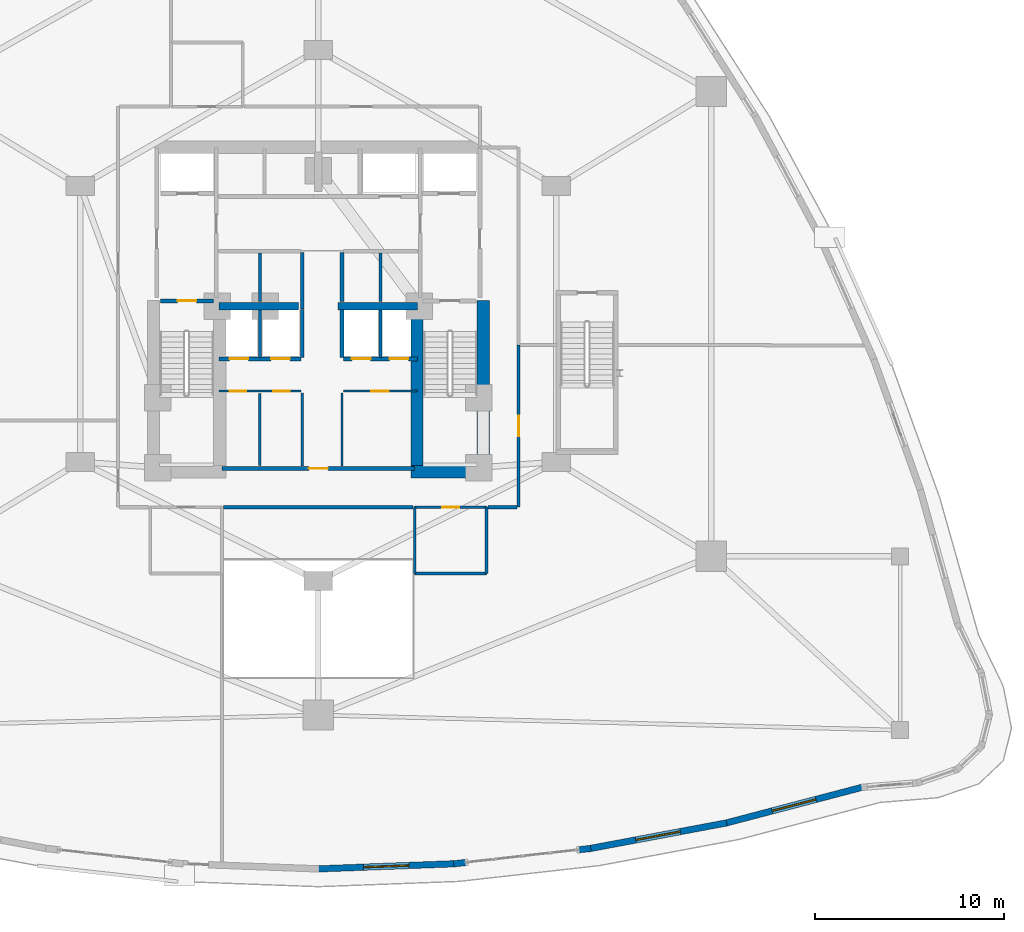
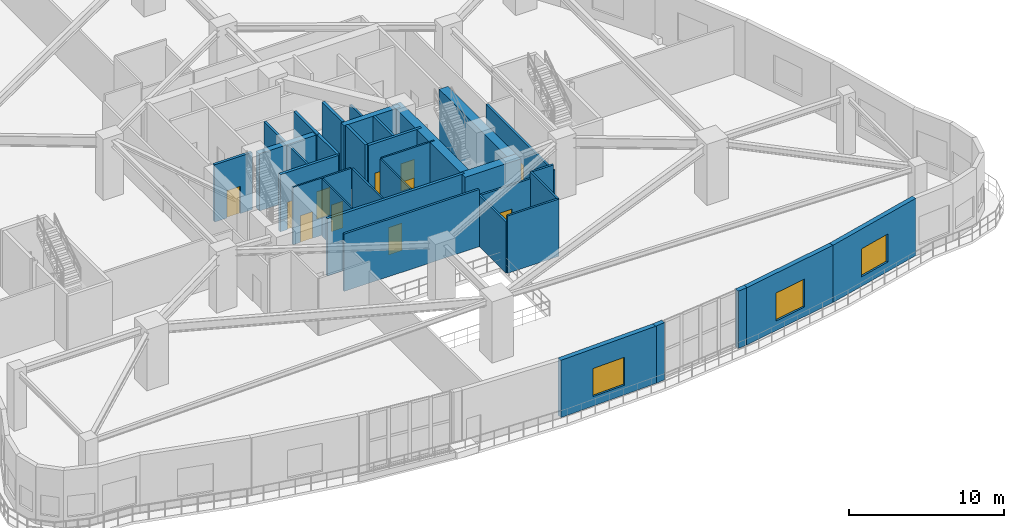
# One storey, part 16 of 25: 34 walls, 11 doors, 3 windows, 14 openings.
"""IFC4 building model written with IfcOpenShell, lengths in metres."""

import ifcopenshell
import ifcopenshell.guid

model = None  # the IFC model being written
_history = None  # IfcOwnerHistory: only IFC2X3 demands one
_inside = {}  # id of a spatial element -> (the spatial element, [elements in it])
_under = {}  # id of a project, library or spatial element -> (it, [spatial elements below it])
_declared = {}  # id of a project -> (the project, [libraries it declares])
_typed = {}  # id of a type object -> (the type object, [elements of that type])
_made_of = {}  # id of a material, layer set ... -> (it, [elements and type objects made of it])


def new_model(schema):
    """Start an empty IFC model of exactly this schema.

    Asked for "IFC4X3", IfcOpenShell would pick the latest addendum, in which some entities
    have other attributes; the version numbers below select the first issue.
    IFC2X3 requires an IfcOwnerHistory on every rooted entity: one is made here for all.
    """
    global model, _history
    if schema == "IFC4X3":
        model = ifcopenshell.file(schema_version=(4, 3, 0, 0))
    else:
        model = ifcopenshell.file(schema=schema)
    _inside.clear()
    _under.clear()
    _declared.clear()
    _typed.clear()
    _made_of.clear()
    _history = None
    if model.schema == "IFC2X3":
        org = make("IfcOrganization", Name="unknown")
        user = make(
            "IfcPersonAndOrganization",
            ThePerson=make("IfcPerson", FamilyName="unknown"),
            TheOrganization=org,
        )
        app = make(
            "IfcApplication",
            ApplicationDeveloper=org,
            Version="unknown",
            ApplicationFullName="unknown",
            ApplicationIdentifier="unknown",
        )
        _history = make(
            "IfcOwnerHistory",
            OwningUser=user,
            OwningApplication=app,
            ChangeAction="ADDED",
            CreationDate=0,
        )
    return model


def make(cls, **values):
    """One entity of the class cls with the attributes given. An attribute that is None is left unset."""
    return model.create_entity(
        cls, **{name: value for name, value in values.items() if value is not None}
    )


def rooted(cls, **values):
    """An entity with a GlobalId (a new one), such as an element, a storey or a relation."""
    return make(cls, GlobalId=ifcopenshell.guid.new(), OwnerHistory=_history, **values)


def si_unit(unit_type, name, prefix=None):
    """IfcSIUnit, for example si_unit("LENGTHUNIT", "METRE", prefix="MILLI")."""
    return make("IfcSIUnit", UnitType=unit_type, Prefix=prefix, Name=name)


def assignment(units):
    """IfcUnitAssignment: the units of a project."""
    return None if units is None else make("IfcUnitAssignment", Units=units)


def point(xyz):
    """IfcCartesianPoint."""
    return None if xyz is None else make("IfcCartesianPoint", Coordinates=xyz)


def direction(xyz):
    """IfcDirection."""
    return None if xyz is None else make("IfcDirection", DirectionRatios=xyz)


def frame(location, z_axis=None, x_axis=None):
    """IfcAxis2Placement3D, a coordinate frame: its origin and axes. An axis left out is left unset."""
    return make(
        "IfcAxis2Placement3D",
        Location=point(location),
        Axis=direction(z_axis),
        RefDirection=direction(x_axis),
    )


def frame_2d(location, x_axis=None):
    """IfcAxis2Placement2D, a coordinate frame in the plane: its origin and x axis."""
    return make(
        "IfcAxis2Placement2D", Location=point(location), RefDirection=direction(x_axis)
    )


def origin():
    """The frame at (0, 0, 0) with its axes left unset."""
    return frame((0.0, 0.0, 0.0))


def place(relative_to, where):
    """IfcLocalPlacement: puts the frame where relative to a parent placement (None: the world)."""
    return make(
        "IfcLocalPlacement", PlacementRelTo=relative_to, RelativePlacement=where
    )


def context(
    kind, dimensions, precision=None, world=None, true_north=None, identifier=None
):
    """IfcGeometricRepresentationContext, for example the 3D "Model" context."""
    return make(
        "IfcGeometricRepresentationContext",
        ContextIdentifier=identifier,
        ContextType=kind,
        CoordinateSpaceDimension=dimensions,
        Precision=precision,
        WorldCoordinateSystem=world,
        TrueNorth=true_north,
    )


def subcontext(parent, identifier, kind, view, scale=None):
    """IfcGeometricRepresentationSubContext, for example "Body" below "Model"."""
    return make(
        "IfcGeometricRepresentationSubContext",
        ContextIdentifier=identifier,
        ContextType=kind,
        ParentContext=parent,
        TargetScale=scale,
        TargetView=view,
    )


def project(units=None, contexts=None):
    """IfcProject with its units and contexts."""
    return rooted(
        "IfcProject",
        Name="project",
        RepresentationContexts=contexts,
        UnitsInContext=assignment(units),
    )


def spatial(cls, under=None, at=None, **own):
    """A site, building, storey or space (cls), placed at a placement, below another one or the project."""
    s = rooted(cls, ObjectPlacement=at, **own)
    if under is not None:
        _under.setdefault(under.id(), (under, []))[1].append(s)
    return s


def profile(cls, at=None, kind="AREA", **sizes):
    """A parametric profile (cls). Its sizes go by their IFC names, for example OverallWidth=200.0."""
    return make(cls, ProfileType=kind, Position=at, **sizes)


def rectangle(**sizes):
    """IfcRectangleProfileDef."""
    return profile("IfcRectangleProfileDef", **sizes)


def extrude(swept, where, along, depth):
    """IfcExtrudedAreaSolid: the profile swept, set in the frame where, extruded along a direction by depth."""
    return make(
        "IfcExtrudedAreaSolid",
        SweptArea=swept,
        Position=where,
        ExtrudedDirection=direction(along),
        Depth=depth,
    )


def shape(context_of_items, identifier, shape_type, items):
    """IfcShapeRepresentation: the items that make up one representation, for example the "Body"."""
    return make(
        "IfcShapeRepresentation",
        ContextOfItems=context_of_items,
        RepresentationIdentifier=identifier,
        RepresentationType=shape_type,
        Items=items,
    )


def material(Name=None, Category=None):
    """IfcMaterial."""
    return make("IfcMaterial", Name=Name, Category=Category)


def layer(
    of_material, thickness, ventilated=None, Name=None, Category=None, Priority=None
):
    """IfcMaterialLayer: one layer of a wall or slab, of a material (None: an air gap)."""
    return make(
        "IfcMaterialLayer",
        Material=of_material,
        LayerThickness=thickness,
        IsVentilated=ventilated,
        Name=Name,
        Category=Category,
        Priority=Priority,
    )


def layer_set(layers, Name=None):
    """IfcMaterialLayerSet."""
    return make("IfcMaterialLayerSet", MaterialLayers=layers, LayerSetName=Name)


def made_of(thing, what):
    """Note that an element or type object is made of a material, layer set ...; save() writes the relation."""
    if what is not None:
        _made_of.setdefault(what.id(), (what, []))[1].append(thing)
    return thing


def type_object(cls, material=None, **own):
    """A type object (cls), such as IfcWallType, which elements share."""
    return made_of(rooted(cls, **own), material)


def element(
    cls,
    number,
    at=None,
    inside=None,
    cuts=None,
    type_object=None,
    material=None,
    context=None,
    identifier="Body",
    shape_type=None,
    held_by="IfcProductDefinitionShape",
    body=None,
    shapes=None,
    **own,
):
    """One element of the class cls, such as IfcWall. Its Tag is "e" and its number.

    at: its placement. inside: the storey or other place that contains it. cuts: it is an
    opening in that element (IfcRelVoidsElement). A single representation is given by context,
    identifier, shape_type and body (its items); several are given by shapes. held_by: the class
    of the entity that holds the representations. save() writes the other relations.
    """
    e = rooted(cls, Tag="e%d" % number, ObjectPlacement=at, **own)
    if body is not None:
        shapes = [shape(context, identifier, shape_type, body)]
    if shapes is not None:
        e.Representation = make(held_by, Representations=shapes)
    if inside is not None:
        _inside.setdefault(inside.id(), (inside, []))[1].append(e)
    if cuts is not None:
        rooted(
            "IfcRelVoidsElement", RelatingBuildingElement=cuts, RelatedOpeningElement=e
        )
    if type_object is not None:
        _typed.setdefault(type_object.id(), (type_object, []))[1].append(e)
    return made_of(e, material)


def fill(opening, filler):
    """IfcRelFillsElement: the door or window that sits in an opening."""
    return rooted(
        "IfcRelFillsElement",
        RelatingOpeningElement=opening,
        RelatedBuildingElement=filler,
    )


def aggregate(whole, parts):
    """IfcRelAggregates: a whole, such as a stair, and the parts it consists of."""
    return rooted("IfcRelAggregates", RelatingObject=whole, RelatedObjects=parts)


def save(model, path):
    """Write the relations noted so far, then the file.

    IfcRelAggregates (storeys below a building ...), IfcRelContainedInSpatialStructure (elements
    in a storey), IfcRelDefinesByType, IfcRelAssociatesMaterial and IfcRelDeclares: one each for
    every whole, place, type object, material and project.
    """
    for whole, parts in _under.values():
        aggregate(whole, parts)
    for where, things in _inside.values():
        rooted(
            "IfcRelContainedInSpatialStructure",
            RelatedElements=things,
            RelatingStructure=where,
        )
    for kind, things in _typed.values():
        rooted("IfcRelDefinesByType", RelatedObjects=things, RelatingType=kind)
    for what, things in _made_of.values():
        rooted("IfcRelAssociatesMaterial", RelatedObjects=things, RelatingMaterial=what)
    for by, libraries in _declared.values():
        rooted("IfcRelDeclares", RelatingContext=by, RelatedDefinitions=libraries)
    model.write(path)


model = new_model("IFC4")

# Units and contexts
model_context = context("Model", 3, precision=1e-05, world=origin(), true_north=direction((0.0, 1.0)))
body_context = subcontext(model_context, "Body", "Model", "MODEL_VIEW")
ifc_project = project(units=[si_unit("LENGTHUNIT", "METRE"), si_unit("AREAUNIT", "SQUARE_METRE"), si_unit("VOLUMEUNIT", "CUBIC_METRE"), si_unit("PLANEANGLEUNIT", "RADIAN"), si_unit("MASSUNIT", "GRAM", prefix="KILO")], contexts=[model_context])

# Site, building, storey
site_placement = place(None, origin())
site = spatial("IfcSite", under=ifc_project, at=site_placement, CompositionType="ELEMENT")
building_placement = place(site_placement, origin())
building = spatial("IfcBuilding", under=site, at=building_placement, Name="Miruveldt Soraemaru", CompositionType="ELEMENT")
storey_placement = place(building_placement, frame((0.0, 0.0, 4.800048828125)))
storey = spatial("IfcBuildingStorey", under=building, at=storey_placement, Name="L02", CompositionType="ELEMENT", Elevation=4.800048828125)

# Walls
ifc_material_1 = material(Name="Concrete C70/85 (70 MPa)", Category="concrete")
ifc_layer_1 = layer(ifc_material_1, 0.5, Name="Concrete C70/85 (70 MPa)", Category="concrete")
ifc_layer_set_1 = layer_set([ifc_layer_1], Name="Concrete C70/85 (70 MPa)")
wall_type_1 = type_object("IfcWallType", Name="WALL-BW-500", PredefinedType="SHEAR", material=ifc_layer_set_1)
for number, where, z_axis, x_axis, name in (
    (1, (38.75, 44.050048828125, 0.0), (0.0, 0.0, 1.0), (1.0, 0.0, 0.0), "L02 Core Buttress Shear Wall BW"),
    (2, (45.050048828125, 44.050048828125, 0.0), (0.0, 0.0, 1.0), (1.0, 0.0, 0.0), "L02 Core Buttress Shear Wall BE"),
):
    element("IfcWall", number, at=place(storey_placement, frame(where, z_axis=z_axis, x_axis=x_axis)), inside=storey, type_object=wall_type_1, Name=name, PredefinedType="SHEAR", context=body_context, shape_type="SweptSolid", body=[
        extrude(rectangle(XDim=4.199951171875, YDim=0.39990234375, at=frame_2d((2.10009765625, 0.0))), origin(), (0.0, 0.0, 1.0), 4.5),
    ])
ifc_material_2 = material(Name="Concrete C80/95 (80 MPa)", Category="concrete")
ifc_layer_2 = layer(ifc_material_2, 0.64990234375, Name="Concrete C80/95 (80 MPa)", Category="concrete")
ifc_layer_set_2 = layer_set([ifc_layer_2], Name="Concrete C80/95 (80 MPa)")
wall_type_2 = type_object("IfcWallType", Name="WALL-CW-650", PredefinedType="SHEAR", material=ifc_layer_set_2)
wall_1_placement = place(storey_placement, frame((48.89990234375, 35.27490234375, 0.0), z_axis=(0.0, 0.0, 1.0), x_axis=(1.0, 0.0, 0.0)))
element("IfcWall", 3, at=wall_1_placement, inside=storey, type_object=wall_type_2, Name="L02 Central Core Shear Wall S2", PredefinedType="SHEAR", context=body_context, shape_type="SweptSolid", body=[
    extrude(rectangle(XDim=4.150146484375, YDim=0.64990234375, at=frame_2d((2.0751953125, 0.0))), origin(), (0.0, 0.0, 1.0), 4.5),
])
wall_2_placement = place(storey_placement, frame((52.72509765625, 34.949951171875, 0.0), z_axis=(0.0, 0.0, 1.0), x_axis=(0.0, 1.0, 0.0)))
element("IfcWall", 4, at=wall_2_placement, inside=storey, type_object=wall_type_2, Name="L02 Central Core Shear Wall E1", PredefinedType="SHEAR", context=body_context, shape_type="SweptSolid", body=[
    extrude(rectangle(XDim=9.400146484375, YDim=0.64990234375, at=frame_2d((4.7001953125, 0.0))), origin(), (0.0, 0.0, 1.0), 4.5),
])
wall_3_placement = place(storey_placement, frame((49.22509765625, 35.39990234375, 0.0), z_axis=(0.0, 0.0, 1.0), x_axis=(0.0, 1.0, 0.0)))
element("IfcWall", 5, at=wall_3_placement, inside=storey, type_object=wall_type_2, Name="L02 Central Core Shear Wall SE-INT", PredefinedType="SHEAR", context=body_context, shape_type="SweptSolid", body=[
    extrude(rectangle(XDim=8.9501953125, YDim=0.64990234375, at=frame_2d((4.47509765625, 0.0))), origin(), (0.0, 0.0, 1.0), 4.5),
])

# Wall, opening, window
ifc_material_3 = material(Name="Precast concrete C45/55 (45 MPa)", Category="concrete")
ifc_layer_3 = layer(ifc_material_3, 0.340087890625, Name="Precast concrete C45/55 (45 MPa)", Category="concrete")
ifc_layer_set_3 = layer_set([ifc_layer_3], Name="Precast concrete C45/55 (45 MPa)")
wall_type_3 = type_object("IfcWallType", Name="WALL-EXT-PC340", PredefinedType="SOLIDWALL", material=ifc_layer_set_3)
wall_4_placement = place(storey_placement, frame((43.965087890625, 14.257080078125, 0.0), z_axis=(0.0, 0.0, 1.0), x_axis=(0.99929844876, 0.037451439292, 0.0)))
wall_4 = element("IfcWall", 6, at=wall_4_placement, inside=storey, type_object=wall_type_3, Name="L02 Precast Concrete Facade Wall 25", PredefinedType="SOLIDWALL", context=body_context, shape_type="SweptSolid", body=[
    extrude(rectangle(XDim=7.2685546875, YDim=0.340087890625, at=frame_2d((3.63427734375, 0.0))), origin(), (0.0, 0.0, 1.0), 4.5),
])
opening_1_placement = place(wall_4_placement, frame((2.43408203125, 0.0, 0.75)))
opening_1 = element("IfcOpeningElement", 7, at=opening_1_placement, cuts=wall_4, Name="Opening WN-5", PredefinedType="OPENING", context=body_context, shape_type="SweptSolid", body=[
    extrude(rectangle(XDim=2.39990234375, YDim=2.199951171875, at=frame_2d((1.199951171875, 1.10009765625))), frame((0.0, 0.18017578125, 0.0), z_axis=(0.0, -1.0, 0.0), x_axis=(1.0, 0.0, 0.0)), (0.0, 0.0, 1.0), 0.360107421875),
])
ifc_material_4 = material(Name="Triple low-e insulated glazing", Category="glass")
window_type = type_object("IfcWindowType", Name="WIN-PODM-2400x2200", PartitioningType="SINGLE_PANEL", PredefinedType="WINDOW", material=ifc_material_4)
window_1_placement = place(opening_1_placement, origin())
window_1 = element("IfcWindow", 8, at=window_1_placement, inside=storey, type_object=window_type, Name="L02 Punched Triple-Glazed Window 25.1", OverallHeight=2.199951171875, OverallWidth=2.39990234375, PartitioningType="SINGLE_PANEL", PredefinedType="WINDOW", context=body_context, shape_type="SweptSolid", body=[
    extrude(rectangle(XDim=2.39990234375, YDim=2.199951171875, at=frame_2d((1.199951171875, 1.10009765625))), frame((0.0, 0.030029296875, 0.0), z_axis=(0.0, -1.0, 0.0), x_axis=(1.0, 0.0, 0.0)), (0.0, 0.0, 1.0), 0.06005859375),
])
fill(opening_1, window_1)

# Walls
for number, where, z_axis, x_axis, name in (
    (9, (51.15869140625, 14.524169921875, 0.0), (0.0, 0.0, 1.0), (0.993726507007, 0.11183751281, 0.0), "L02 Precast Pier Left 26"),
    (10, (57.721435546875, 15.262451171875, 0.0), (0.0, 0.0, 1.0), (0.993726507007, 0.11183751281, 0.0), "L02 Precast Pier Right 26"),
):
    element("IfcWall", number, at=place(storey_placement, frame(where, z_axis=z_axis, x_axis=x_axis)), inside=storey, type_object=wall_type_3, Name=name, PredefinedType="SOLIDWALL", context=body_context, shape_type="SweptSolid", body=[
        extrude(rectangle(XDim=0.705078125, YDim=0.340087890625, at=frame_2d((0.3525390625, 0.0))), origin(), (0.0, 0.0, 1.0), 4.5),
    ])

# Wall, opening, window
wall_5_placement = place(storey_placement, frame((58.352783203125, 15.330810546875, 0.0), z_axis=(0.0, 0.0, 1.0), x_axis=(0.982869568495, 0.184302499515, 0.0)))
wall_5 = element("IfcWall", 11, at=wall_5_placement, inside=storey, type_object=wall_type_3, Name="L02 Precast Concrete Facade Wall 27", PredefinedType="SOLIDWALL", context=body_context, shape_type="SweptSolid", body=[
    extrude(rectangle(XDim=7.388916015625, YDim=0.340087890625, at=frame_2d((3.6943359375, 0.0))), origin(), (0.0, 0.0, 1.0), 4.5),
])
opening_2_placement = place(wall_5_placement, frame((2.493896484375, 0.0, 0.75)))
opening_2 = element("IfcOpeningElement", 12, at=opening_2_placement, cuts=wall_5, Name="Opening WN-5", PredefinedType="OPENING", context=body_context, shape_type="SweptSolid", body=[
    extrude(rectangle(XDim=2.39990234375, YDim=2.199951171875, at=frame_2d((1.199951171875, 1.10009765625))), frame((0.0, 0.18017578125, 0.0), z_axis=(0.0, -1.0, 0.0), x_axis=(1.0, 0.0, 0.0)), (0.0, 0.0, 1.0), 0.360107421875),
])
window_2_placement = place(opening_2_placement, origin())
window_2 = element("IfcWindow", 13, at=window_2_placement, inside=storey, type_object=window_type, Name="L02 Punched Triple-Glazed Window 27.1", OverallHeight=2.199951171875, OverallWidth=2.39990234375, PartitioningType="SINGLE_PANEL", PredefinedType="WINDOW", context=body_context, shape_type="SweptSolid", body=[
    extrude(rectangle(XDim=2.39990234375, YDim=2.199951171875, at=frame_2d((1.199951171875, 1.10009765625))), frame((0.0, 0.030029296875, 0.0), z_axis=(0.0, -1.0, 0.0), x_axis=(1.0, 0.0, 0.0)), (0.0, 0.0, 1.0), 0.06005859375),
])
fill(opening_2, window_2)

wall_6_placement = place(storey_placement, frame((65.547119140625, 16.67724609375, 0.0), z_axis=(0.0, 0.0, 1.0), x_axis=(0.967227271717, 0.253912199091, 0.0)))
wall_6 = element("IfcWall", 14, at=wall_6_placement, inside=storey, type_object=wall_type_3, Name="L02 Precast Concrete Facade Wall 28", PredefinedType="SOLIDWALL", context=body_context, shape_type="SweptSolid", body=[
    extrude(rectangle(XDim=7.507568359375, YDim=0.340087890625, at=frame_2d((3.75390625, 0.0))), origin(), (0.0, 0.0, 1.0), 4.5),
])
opening_3_placement = place(wall_6_placement, frame((2.553955078125, 0.0, 0.75)))
opening_3 = element("IfcOpeningElement", 15, at=opening_3_placement, cuts=wall_6, Name="Opening WN-5", PredefinedType="OPENING", context=body_context, shape_type="SweptSolid", body=[
    extrude(rectangle(XDim=2.39990234375, YDim=2.199951171875, at=frame_2d((1.199951171875, 1.10009765625))), frame((0.0, 0.18017578125, 0.0), z_axis=(0.0, -1.0, 0.0), x_axis=(1.0, 0.0, 0.0)), (0.0, 0.0, 1.0), 0.360107421875),
])
window_3_placement = place(opening_3_placement, origin())
window_3 = element("IfcWindow", 16, at=window_3_placement, inside=storey, type_object=window_type, Name="L02 Punched Triple-Glazed Window 28.1", OverallHeight=2.199951171875, OverallWidth=2.39990234375, PartitioningType="SINGLE_PANEL", PredefinedType="WINDOW", context=body_context, shape_type="SweptSolid", body=[
    extrude(rectangle(XDim=2.39990234375, YDim=2.199951171875, at=frame_2d((1.199951171875, 1.10009765625))), frame((0.0, 0.030029296875, 0.0), z_axis=(0.0, -1.0, 0.0), x_axis=(1.0, 0.0, 0.0)), (0.0, 0.0, 1.0), 0.06005859375),
])
fill(opening_3, window_3)

# Wall, openings, doors
ifc_material_5 = material(Name="Gypsum plasterboard lining", Category="gypsum")
ifc_layer_4 = layer(ifc_material_5, 0.1201171875, Name="Gypsum plasterboard lining", Category="gypsum")
ifc_layer_set_4 = layer_set([ifc_layer_4], Name="Gypsum plasterboard lining")
wall_type_4 = type_object("IfcWallType", Name="WALL-INT-P120", PredefinedType="PARTITIONING", material=ifc_layer_set_4)
wall_7_placement = place(storey_placement, frame((38.75, 39.550048828125, 0.0), z_axis=(0.0, 0.0, 1.0), x_axis=(1.0, 0.0, 0.0)))
wall_7 = element("IfcWall", 17, at=wall_7_placement, inside=storey, type_object=wall_type_4, Name="L02 Core Compartment Wall CSW-N", PredefinedType="PARTITIONING", context=body_context, shape_type="SweptSolid", body=[
    extrude(rectangle(XDim=4.330078125, YDim=0.1201171875, at=frame_2d((2.1650390625, 0.0))), origin(), (0.0, 0.0, 1.0), 4.5),
])
opening_4_placement = place(wall_7_placement, frame((0.56005859375, 0.0, 0.0)))
opening_4 = element("IfcOpeningElement", 18, at=opening_4_placement, cuts=wall_7, Name="Opening D4", PredefinedType="OPENING", context=body_context, shape_type="SweptSolid", body=[
    extrude(rectangle(XDim=0.8798828125, YDim=2.10009765625, at=frame_2d((0.43994140625, 1.050048828125))), frame((0.0, 0.070068359375, 0.0), z_axis=(0.0, -1.0, 0.0), x_axis=(1.0, 0.0, 0.0)), (0.0, 0.0, 1.0), 0.14013671875),
])
opening_5_placement = place(wall_7_placement, frame((2.860107421875, 0.0, 0.0)))
opening_5 = element("IfcOpeningElement", 19, at=opening_5_placement, cuts=wall_7, Name="Opening D4", PredefinedType="OPENING", context=body_context, shape_type="SweptSolid", body=[
    extrude(rectangle(XDim=0.8798828125, YDim=2.10009765625, at=frame_2d((0.43994140625, 1.050048828125))), frame((0.0, 0.070068359375, 0.0), z_axis=(0.0, -1.0, 0.0), x_axis=(1.0, 0.0, 0.0)), (0.0, 0.0, 1.0), 0.14013671875),
])
ifc_material_6 = material(Name="Anodised aluminium EN AW-6063 T6", Category="aluminium")
door_type_1 = type_object("IfcDoorType", Name="DOOR-INT-880", OperationType="NOTDEFINED", PredefinedType="DOOR", material=ifc_material_6)
door_1_placement = place(opening_4_placement, origin())
door_1 = element("IfcDoor", 20, at=door_1_placement, inside=storey, type_object=door_type_1, Name="L02 Fire Door", OperationType="SINGLE_SWING_LEFT", OverallHeight=2.10009765625, OverallWidth=0.8798828125, PredefinedType="DOOR", context=body_context, shape_type="SweptSolid", body=[
    extrude(rectangle(XDim=0.8798828125, YDim=2.10009765625, at=frame_2d((0.43994140625, 1.050048828125))), frame((0.0, 0.02490234375, 0.0), z_axis=(0.0, -1.0, 0.0), x_axis=(1.0, 0.0, 0.0)), (0.0, 0.0, 1.0), 0.050048828125),
])
fill(opening_4, door_1)
door_2_placement = place(opening_5_placement, origin())
door_2 = element("IfcDoor", 21, at=door_2_placement, inside=storey, type_object=door_type_1, Name="L02 Fire Door", OperationType="SINGLE_SWING_LEFT", OverallHeight=2.10009765625, OverallWidth=0.8798828125, PredefinedType="DOOR", context=body_context, shape_type="SweptSolid", body=[
    extrude(rectangle(XDim=0.8798828125, YDim=2.10009765625, at=frame_2d((0.43994140625, 1.050048828125))), frame((0.0, 0.02490234375, 0.0), z_axis=(0.0, -1.0, 0.0), x_axis=(1.0, 0.0, 0.0)), (0.0, 0.0, 1.0), 0.050048828125),
])
fill(opening_5, door_2)

# Wall, opening, door
wall_8_placement = place(storey_placement, frame((45.320068359375, 39.550048828125, 0.0), z_axis=(0.0, 0.0, 1.0), x_axis=(1.0, 0.0, 0.0)))
wall_8 = element("IfcWall", 22, at=wall_8_placement, inside=storey, type_object=wall_type_4, Name="L02 Core Compartment Wall CSE-N", PredefinedType="PARTITIONING", context=body_context, shape_type="SweptSolid", body=[
    extrude(rectangle(XDim=3.929931640625, YDim=0.1201171875, at=frame_2d((1.96484375, 0.0))), origin(), (0.0, 0.0, 1.0), 4.5),
])
opening_6_placement = place(wall_8_placement, frame((1.489990234375, 0.0, 0.0)))
opening_6 = element("IfcOpeningElement", 23, at=opening_6_placement, cuts=wall_8, Name="Opening D3A", PredefinedType="OPENING", context=body_context, shape_type="SweptSolid", body=[
    extrude(rectangle(XDim=0.919921875, YDim=2.10009765625, at=frame_2d((0.4599609375, 1.050048828125))), frame((0.0, 0.070068359375, 0.0), z_axis=(0.0, -1.0, 0.0), x_axis=(1.0, 0.0, 0.0)), (0.0, 0.0, 1.0), 0.14013671875),
])
door_type_2 = type_object("IfcDoorType", Name="DOOR-INT-920", OperationType="NOTDEFINED", PredefinedType="DOOR", material=ifc_material_6)
door_3_placement = place(opening_6_placement, origin())
door_3 = element("IfcDoor", 24, at=door_3_placement, inside=storey, type_object=door_type_2, Name="L02 Fire Door", OperationType="SINGLE_SWING_LEFT", OverallHeight=2.10009765625, OverallWidth=0.919921875, PredefinedType="DOOR", context=body_context, shape_type="SweptSolid", body=[
    extrude(rectangle(XDim=0.919921875, YDim=2.10009765625, at=frame_2d((0.4599609375, 1.050048828125))), frame((0.0, 0.02490234375, 0.0), z_axis=(0.0, -1.0, 0.0), x_axis=(1.0, 0.0, 0.0)), (0.0, 0.0, 1.0), 0.050048828125),
])
fill(opening_6, door_3)

# Walls
for number, where, z_axis, x_axis, name in (
    (25, (43.14990234375, 35.580078125, 0.0), (0.0, 0.0, 1.0), (0.0, 1.0, 0.0), "L02 Core Compartment Wall SP-WS"),
    (26, (45.25, 35.580078125, 0.0), (0.0, 0.0, 1.0), (0.0, 1.0, 0.0), "L02 Core Compartment Wall SP-ES"),
):
    element("IfcWall", number, at=place(storey_placement, frame(where, z_axis=z_axis, x_axis=x_axis)), inside=storey, type_object=wall_type_4, Name=name, PredefinedType="PARTITIONING", context=body_context, shape_type="SweptSolid", body=[
        extrude(rectangle(XDim=3.869873046875, YDim=0.1201171875, at=frame_2d((1.93505859375, 0.0))), origin(), (0.0, 0.0, 1.0), 4.5),
    ])
wall_9_placement = place(storey_placement, frame((40.89990234375, 35.60009765625, 0.0), z_axis=(0.0, 0.0, 1.0), x_axis=(0.0, 1.0, 0.0)))
element("IfcWall", 27, at=wall_9_placement, inside=storey, type_object=wall_type_4, Name="L02 Core Compartment Wall CW1-V", PredefinedType="PARTITIONING", context=body_context, shape_type="SweptSolid", body=[
    extrude(rectangle(XDim=3.81982421875, YDim=0.1201171875, at=frame_2d((1.909912109375, 0.0))), origin(), (0.0, 0.0, 1.0), 4.5),
])

# Wall, opening, door
ifc_layer_5 = layer(ifc_material_5, 0.14990234375, Name="Gypsum plasterboard lining", Category="gypsum")
ifc_layer_set_5 = layer_set([ifc_layer_5], Name="Gypsum plasterboard lining")
wall_type_5 = type_object("IfcWallType", Name="WALL-INT-PLUMB", PredefinedType="PLUMBINGWALL", material=ifc_layer_set_5)
wall_10_placement = place(storey_placement, frame((49.10009765625, 33.39990234375, 0.0), z_axis=(0.0, 0.0, 1.0), x_axis=(1.0, 0.0, 0.0)))
wall_10 = element("IfcWall", 28, at=wall_10_placement, inside=storey, type_object=wall_type_5, Name="L02 Partition Wall 3", PredefinedType="PLUMBINGWALL", context=body_context, shape_type="SweptSolid", body=[
    extrude(rectangle(XDim=3.7998046875, YDim=0.14990234375, at=frame_2d((1.89990234375, 0.0))), origin(), (0.0, 0.0, 1.0), 4.0),
])
opening_7_placement = place(wall_10_placement, frame((1.449951171875, 0.0, 0.0)))
opening_7 = element("IfcOpeningElement", 29, at=opening_7_placement, cuts=wall_10, Name="Opening D3", PredefinedType="OPENING", context=body_context, shape_type="SweptSolid", body=[
    extrude(rectangle(XDim=0.89990234375, YDim=2.10009765625, at=frame_2d((0.449951171875, 1.050048828125))), frame((0.0, 0.0849609375, 0.0), z_axis=(0.0, -1.0, 0.0), x_axis=(1.0, 0.0, 0.0)), (0.0, 0.0, 1.0), 0.169921875),
])
door_type_3 = type_object("IfcDoorType", Name="DOOR-INT-900", OperationType="NOTDEFINED", PredefinedType="DOOR", material=ifc_material_6)
door_4_placement = place(opening_7_placement, origin())
door_4 = element("IfcDoor", 30, at=door_4_placement, inside=storey, type_object=door_type_3, Name="L02 Accessible WC Door", OperationType="SINGLE_SWING_RIGHT", OverallHeight=2.10009765625, OverallWidth=0.89990234375, PredefinedType="DOOR", context=body_context, shape_type="SweptSolid", body=[
    extrude(rectangle(XDim=0.89990234375, YDim=2.10009765625, at=frame_2d((0.449951171875, 1.050048828125))), frame((0.0, 0.02490234375, 0.0), z_axis=(0.0, -1.0, 0.0), x_axis=(1.0, 0.0, 0.0)), (0.0, 0.0, 1.0), 0.050048828125),
])
fill(opening_7, door_4)

# Walls
wall_11_placement = place(storey_placement, frame((49.10009765625, 29.89990234375, 0.0), z_axis=(0.0, 0.0, 1.0), x_axis=(1.0, 0.0, 0.0)))
element("IfcWall", 31, at=wall_11_placement, inside=storey, type_object=wall_type_5, Name="L02 Partition Wall 22", PredefinedType="PLUMBINGWALL", context=body_context, shape_type="SweptSolid", body=[
    extrude(rectangle(XDim=3.7998046875, YDim=0.14990234375, at=frame_2d((1.89990234375, 0.0))), origin(), (0.0, 0.0, 1.0), 4.5),
])
wall_12_placement = place(storey_placement, frame((49.10009765625, 33.39990234375, 0.0), z_axis=(0.0, 0.0, 1.0), x_axis=(0.0, -1.0, 0.0)))
element("IfcWall", 32, at=wall_12_placement, inside=storey, type_object=wall_type_5, Name="L02 Partition Wall 21", PredefinedType="PLUMBINGWALL", context=body_context, shape_type="SweptSolid", body=[
    extrude(rectangle(XDim=3.5, YDim=0.14990234375, at=frame_2d((1.75, 0.0))), origin(), (0.0, 0.0, 1.0), 4.0),
])
wall_13_placement = place(storey_placement, frame((52.89990234375, 29.89990234375, 0.0), z_axis=(0.0, 0.0, 1.0), x_axis=(0.0, 1.0, 0.0)))
element("IfcWall", 33, at=wall_13_placement, inside=storey, type_object=wall_type_5, Name="L02 Partition Wall 23", PredefinedType="PLUMBINGWALL", context=body_context, shape_type="SweptSolid", body=[
    extrude(rectangle(XDim=3.5, YDim=0.14990234375, at=frame_2d((1.75, 0.0))), origin(), (0.0, 0.0, 1.0), 4.5),
])

# Wall, opening, door
ifc_material_7 = material(Name="Concrete C40/50 (40 MPa)", Category="concrete")
ifc_layer_6 = layer(ifc_material_7, 0.159912109375, Name="Concrete C40/50 (40 MPa)", Category="concrete")
ifc_layer_set_6 = layer_set([ifc_layer_6], Name="Concrete C40/50 (40 MPa)")
wall_type_6 = type_object("IfcWallType", Name="WALL-INT-RC160", PredefinedType="SOLIDWALL", material=ifc_layer_set_6)
wall_14_placement = place(storey_placement, frame((54.60009765625, 33.39990234375, 0.0), z_axis=(0.0, 0.0, 1.0), x_axis=(0.0, 1.0, 0.0)))
wall_14 = element("IfcWall", 34, at=wall_14_placement, inside=storey, type_object=wall_type_6, Name="L02 Partition Wall 8", PredefinedType="SOLIDWALL", context=body_context, shape_type="SweptSolid", body=[
    extrude(rectangle(XDim=8.60009765625, YDim=0.159912109375, at=frame_2d((4.300048828125, 0.0))), origin(), (0.0, 0.0, 1.0), 4.0),
])
opening_8_placement = place(wall_14_placement, frame((3.75, 0.0, 0.0)))
opening_8 = element("IfcOpeningElement", 35, at=opening_8_placement, cuts=wall_14, Name="Opening FD1A", PredefinedType="OPENING", context=body_context, shape_type="SweptSolid", body=[
    extrude(rectangle(XDim=1.10009765625, YDim=2.14990234375, at=frame_2d((0.550048828125, 1.074951171875))), frame((0.0, 0.08984375, 0.0), z_axis=(0.0, -1.0, 0.0), x_axis=(1.0, 0.0, 0.0)), (0.0, 0.0, 1.0), 0.179931640625),
])
door_type_4 = type_object("IfcDoorType", Name="DOOR-FD1-1100", OperationType="NOTDEFINED", PredefinedType="DOOR", material=ifc_material_6)
door_5_placement = place(opening_8_placement, origin())
door_5 = element("IfcDoor", 36, at=door_5_placement, inside=storey, type_object=door_type_4, Name="L02 Terrace Bistro and Dining Hall Entrance Door", OperationType="SINGLE_SWING_RIGHT", OverallHeight=2.14990234375, OverallWidth=1.10009765625, PredefinedType="DOOR", context=body_context, shape_type="SweptSolid", body=[
    extrude(rectangle(XDim=1.10009765625, YDim=2.14990234375, at=frame_2d((0.550048828125, 1.074951171875))), frame((0.0, 0.02490234375, 0.0), z_axis=(0.0, -1.0, 0.0), x_axis=(1.0, 0.0, 0.0)), (0.0, 0.0, 1.0), 0.050048828125),
])
fill(opening_8, door_5)

# Walls
wall_15_placement = place(storey_placement, frame((38.97998046875, 33.39990234375, 0.0), z_axis=(0.0, 0.0, 1.0), x_axis=(1.0, 0.0, 0.0)))
element("IfcWall", 37, at=wall_15_placement, inside=storey, type_object=wall_type_6, Name="L02 Partition Wall 6", PredefinedType="SOLIDWALL", context=body_context, shape_type="SweptSolid", body=[
    extrude(rectangle(XDim=10.0400390625, YDim=0.159912109375, at=frame_2d((5.02001953125, 0.0))), origin(), (0.0, 0.0, 1.0), 4.5),
])
wall_16_placement = place(storey_placement, frame((40.89990234375, 44.300048828125, 0.0), z_axis=(0.0, 0.0, 1.0), x_axis=(0.0, 1.0, 0.0)))
element("IfcWall", 38, at=wall_16_placement, inside=storey, type_object=wall_type_6, Name="L02 Core Compartment Wall PLM-DW", PredefinedType="SOLIDWALL", context=body_context, shape_type="SweptSolid", body=[
    extrude(rectangle(XDim=2.550048828125, YDim=0.159912109375, at=frame_2d((1.27490234375, 0.0))), origin(), (0.0, 0.0, 1.0), 4.5),
])
wall_17_placement = place(storey_placement, frame((47.280029296875, 44.300048828125, 0.0), z_axis=(0.0, 0.0, 1.0), x_axis=(0.0, 1.0, 0.0)))
element("IfcWall", 39, at=wall_17_placement, inside=storey, type_object=wall_type_6, Name="L02 Core Compartment Wall PLM-DE", PredefinedType="SOLIDWALL", context=body_context, shape_type="SweptSolid", body=[
    extrude(rectangle(XDim=2.550048828125, YDim=0.159912109375, at=frame_2d((1.27490234375, 0.0))), origin(), (0.0, 0.0, 1.0), 3.587890625),
])
for number, where, z_axis, x_axis, name in (
    (40, (40.89990234375, 41.320068359375, 0.0), (0.0, 0.0, 1.0), (0.0, 1.0, 0.0), "L02 Core Compartment Wall PLL-DW"),
    (41, (47.280029296875, 41.320068359375, 0.0), (0.0, 0.0, 1.0), (0.0, 1.0, 0.0), "L02 Core Compartment Wall PLL-DE"),
):
    element("IfcWall", number, at=place(storey_placement, frame(where, z_axis=z_axis, x_axis=x_axis)), inside=storey, type_object=wall_type_6, Name=name, PredefinedType="SOLIDWALL", context=body_context, shape_type="SweptSolid", body=[
        extrude(rectangle(XDim=2.530029296875, YDim=0.159912109375, at=frame_2d((1.26513671875, 0.0))), origin(), (0.0, 0.0, 1.0), 4.5),
    ])
wall_18_placement = place(storey_placement, frame((52.97998046875, 33.39990234375, 0.0), z_axis=(0.0, 0.0, 1.0), x_axis=(1.0, 0.0, 0.0)))
element("IfcWall", 42, at=wall_18_placement, inside=storey, type_object=wall_type_6, Name="L02 Partition Wall 7", PredefinedType="SOLIDWALL", context=body_context, shape_type="SweptSolid", body=[
    extrude(rectangle(XDim=1.5400390625, YDim=0.159912109375, at=frame_2d((0.77001953125, 0.0))), origin(), (0.0, 0.0, 1.0), 4.5),
])

# Wall, opening, door
ifc_layer_7 = layer(ifc_material_7, 0.199951171875, Name="Concrete C40/50 (40 MPa)", Category="concrete")
ifc_layer_set_7 = layer_set([ifc_layer_7], Name="Concrete C40/50 (40 MPa)")
wall_type_7 = type_object("IfcWallType", Name="WALL-INT-RC200", PredefinedType="SOLIDWALL", material=ifc_layer_set_7)
wall_19_placement = place(storey_placement, frame((38.89990234375, 35.449951171875, 0.0), z_axis=(0.0, 0.0, 1.0), x_axis=(1.0, 0.0, 0.0)))
wall_19 = element("IfcWall", 43, at=wall_19_placement, inside=storey, type_object=wall_type_7, Name="L02 Core Compartment Wall CS-S", PredefinedType="SOLIDWALL", context=body_context, shape_type="SweptSolid", body=[
    extrude(rectangle(XDim=10.2001953125, YDim=0.199951171875, at=frame_2d((5.10009765625, 0.0))), origin(), (0.0, 0.0, 1.0), 4.5),
])
opening_9_placement = place(wall_19_placement, frame((4.60009765625, 0.0, 0.0)))
opening_9 = element("IfcOpeningElement", 44, at=opening_9_placement, cuts=wall_19, Name="Opening FD1", PredefinedType="OPENING", context=body_context, shape_type="SweptSolid", body=[
    extrude(rectangle(XDim=1.0, YDim=2.14990234375, at=frame_2d((0.5, 1.074951171875))), frame((0.0, 0.10986328125, 0.0), z_axis=(0.0, -1.0, 0.0), x_axis=(1.0, 0.0, 0.0)), (0.0, 0.0, 1.0), 0.219970703125),
])
door_type_5 = type_object("IfcDoorType", Name="DOOR-FD1-1000", OperationType="NOTDEFINED", PredefinedType="DOOR", material=ifc_material_6)
door_6_placement = place(opening_9_placement, origin())
door_6 = element("IfcDoor", 45, at=door_6_placement, inside=storey, type_object=door_type_5, Name="L02 Core South Lobby Fire Door", OperationType="SINGLE_SWING_LEFT", OverallHeight=2.14990234375, OverallWidth=1.0, PredefinedType="DOOR", context=body_context, shape_type="SweptSolid", body=[
    extrude(rectangle(XDim=1.0, YDim=2.14990234375, at=frame_2d((0.5, 1.074951171875))), frame((0.0, 0.02490234375, 0.0), z_axis=(0.0, -1.0, 0.0), x_axis=(1.0, 0.0, 0.0)), (0.0, 0.0, 1.0), 0.050048828125),
])
fill(opening_9, door_6)

# Wall, openings, doors
wall_20_placement = place(storey_placement, frame((38.75, 41.25, 0.0), z_axis=(0.0, 0.0, 1.0), x_axis=(1.0, 0.0, 0.0)))
wall_20 = element("IfcWall", 46, at=wall_20_placement, inside=storey, type_object=wall_type_7, Name="L02 Core Compartment Wall LBW-S", PredefinedType="SOLIDWALL", context=body_context, shape_type="SweptSolid", body=[
    extrude(rectangle(XDim=4.330078125, YDim=0.199951171875, at=frame_2d((2.1650390625, 0.0))), origin(), (0.0, 0.0, 1.0), 4.5),
])
opening_10_placement = place(wall_20_placement, frame((0.550048828125, 0.0, 0.0)))
opening_10 = element("IfcOpeningElement", 47, at=opening_10_placement, cuts=wall_20, Name="Opening LD1B", PredefinedType="OPENING", context=body_context, shape_type="SweptSolid", body=[
    extrude(rectangle(XDim=1.0, YDim=2.14990234375, at=frame_2d((0.5, 1.074951171875))), frame((0.0, 0.10986328125, 0.0), z_axis=(0.0, -1.0, 0.0), x_axis=(1.0, 0.0, 0.0)), (0.0, 0.0, 1.0), 0.219970703125),
])
opening_11_placement = place(wall_20_placement, frame((2.75, 0.0, 0.0)))
opening_11 = element("IfcOpeningElement", 48, at=opening_11_placement, cuts=wall_20, Name="Opening LD1B", PredefinedType="OPENING", context=body_context, shape_type="SweptSolid", body=[
    extrude(rectangle(XDim=1.0, YDim=2.14990234375, at=frame_2d((0.5, 1.074951171875))), frame((0.0, 0.10986328125, 0.0), z_axis=(0.0, -1.0, 0.0), x_axis=(1.0, 0.0, 0.0)), (0.0, 0.0, 1.0), 0.219970703125),
])
door_type_6 = type_object("IfcDoorType", Name="DOOR-LD1-1000", OperationType="SLIDING_TO_LEFT", PredefinedType="DOOR", material=ifc_material_6)
door_7_placement = place(opening_10_placement, frame((1.0, 0.0, 0.0), z_axis=(0.0, 0.0, 1.0), x_axis=(-1.0, 0.0, 0.0)))
door_7 = element("IfcDoor", 49, at=door_7_placement, inside=storey, type_object=door_type_6, Name="L02 PL-L1 Landing Door", OperationType="SLIDING_TO_LEFT", OverallHeight=2.14990234375, OverallWidth=1.0, PredefinedType="DOOR", context=body_context, shape_type="SweptSolid", body=[
    extrude(rectangle(XDim=1.0, YDim=2.14990234375, at=frame_2d((0.5, 1.074951171875))), frame((0.0, 0.02490234375, 0.0), z_axis=(0.0, -1.0, 0.0), x_axis=(1.0, 0.0, 0.0)), (0.0, 0.0, 1.0), 0.050048828125),
])
fill(opening_10, door_7)
door_8_placement = place(opening_11_placement, frame((1.0, 0.0, 0.0), z_axis=(0.0, 0.0, 1.0), x_axis=(-1.0, 0.0, 0.0)))
door_8 = element("IfcDoor", 50, at=door_8_placement, inside=storey, type_object=door_type_6, Name="L02 PL-L2 Landing Door", OperationType="SLIDING_TO_LEFT", OverallHeight=2.14990234375, OverallWidth=1.0, PredefinedType="DOOR", context=body_context, shape_type="SweptSolid", body=[
    extrude(rectangle(XDim=1.0, YDim=2.14990234375, at=frame_2d((0.5, 1.074951171875))), frame((0.0, 0.02490234375, 0.0), z_axis=(0.0, -1.0, 0.0), x_axis=(1.0, 0.0, 0.0)), (0.0, 0.0, 1.0), 0.050048828125),
])
fill(opening_11, door_8)

wall_21_placement = place(storey_placement, frame((45.320068359375, 41.25, 0.0), z_axis=(0.0, 0.0, 1.0), x_axis=(1.0, 0.0, 0.0)))
wall_21 = element("IfcWall", 51, at=wall_21_placement, inside=storey, type_object=wall_type_7, Name="L02 Core Compartment Wall LBE-S", PredefinedType="SOLIDWALL", context=body_context, shape_type="SweptSolid", body=[
    extrude(rectangle(XDim=3.929931640625, YDim=0.199951171875, at=frame_2d((1.96484375, 0.0))), origin(), (0.0, 0.0, 1.0), 4.5),
])
opening_12_placement = place(wall_21_placement, frame((0.449951171875, 0.0, 0.0)))
opening_12 = element("IfcOpeningElement", 52, at=opening_12_placement, cuts=wall_21, Name="Opening LD1B", PredefinedType="OPENING", context=body_context, shape_type="SweptSolid", body=[
    extrude(rectangle(XDim=1.0, YDim=2.14990234375, at=frame_2d((0.5, 1.074951171875))), frame((0.0, 0.10986328125, 0.0), z_axis=(0.0, -1.0, 0.0), x_axis=(1.0, 0.0, 0.0)), (0.0, 0.0, 1.0), 0.219970703125),
])
opening_13_placement = place(wall_21_placement, frame((2.449951171875, 0.0, 0.0)))
opening_13 = element("IfcOpeningElement", 53, at=opening_13_placement, cuts=wall_21, Name="Opening LD1B", PredefinedType="OPENING", context=body_context, shape_type="SweptSolid", body=[
    extrude(rectangle(XDim=1.0, YDim=2.14990234375, at=frame_2d((0.5, 1.074951171875))), frame((0.0, 0.10986328125, 0.0), z_axis=(0.0, -1.0, 0.0), x_axis=(1.0, 0.0, 0.0)), (0.0, 0.0, 1.0), 0.219970703125),
])
door_9_placement = place(opening_12_placement, frame((1.0, 0.0, 0.0), z_axis=(0.0, 0.0, 1.0), x_axis=(-1.0, 0.0, 0.0)))
door_9 = element("IfcDoor", 54, at=door_9_placement, inside=storey, type_object=door_type_6, Name="L02 PL-L3 Landing Door", OperationType="SLIDING_TO_LEFT", OverallHeight=2.14990234375, OverallWidth=1.0, PredefinedType="DOOR", context=body_context, shape_type="SweptSolid", body=[
    extrude(rectangle(XDim=1.0, YDim=2.14990234375, at=frame_2d((0.5, 1.074951171875))), frame((0.0, 0.02490234375, 0.0), z_axis=(0.0, -1.0, 0.0), x_axis=(1.0, 0.0, 0.0)), (0.0, 0.0, 1.0), 0.050048828125),
])
fill(opening_12, door_9)
door_10_placement = place(opening_13_placement, frame((1.0, 0.0, 0.0), z_axis=(0.0, 0.0, 1.0), x_axis=(-1.0, 0.0, 0.0)))
door_10 = element("IfcDoor", 55, at=door_10_placement, inside=storey, type_object=door_type_6, Name="L02 PL-L4 Landing Door", OperationType="SLIDING_TO_LEFT", OverallHeight=2.14990234375, OverallWidth=1.0, PredefinedType="DOOR", context=body_context, shape_type="SweptSolid", body=[
    extrude(rectangle(XDim=1.0, YDim=2.14990234375, at=frame_2d((0.5, 1.074951171875))), frame((0.0, 0.02490234375, 0.0), z_axis=(0.0, -1.0, 0.0), x_axis=(1.0, 0.0, 0.0)), (0.0, 0.0, 1.0), 0.050048828125),
])
fill(opening_13, door_10)

# Wall, opening, door
wall_22_placement = place(storey_placement, frame((35.64990234375, 44.320068359375, 0.0), z_axis=(0.0, 0.0, 1.0), x_axis=(1.0, 0.0, 0.0)))
wall_22 = element("IfcWall", 56, at=wall_22_placement, inside=storey, type_object=wall_type_7, Name="L02 Core Compartment Wall ST1-N", PredefinedType="SOLIDWALL", context=body_context, shape_type="SweptSolid", body=[
    extrude(rectangle(XDim=2.800048828125, YDim=0.199951171875, at=frame_2d((1.39990234375, 0.0))), origin(), (0.0, 0.0, 1.0), 4.5),
])
opening_14_placement = place(wall_22_placement, frame((0.89990234375, 0.0, 0.0)))
opening_14 = element("IfcOpeningElement", 57, at=opening_14_placement, cuts=wall_22, Name="Opening FD1", PredefinedType="OPENING", context=body_context, shape_type="SweptSolid", body=[
    extrude(rectangle(XDim=1.0, YDim=2.14990234375, at=frame_2d((0.5, 1.074951171875))), frame((0.0, 0.10986328125, 0.0), z_axis=(0.0, -1.0, 0.0), x_axis=(1.0, 0.0, 0.0)), (0.0, 0.0, 1.0), 0.219970703125),
])
door_11_placement = place(opening_14_placement, frame((1.0, 0.0, 0.0), z_axis=(0.0, 0.0, 1.0), x_axis=(-1.0, 0.0, 0.0)))
door_11 = element("IfcDoor", 58, at=door_11_placement, inside=storey, type_object=door_type_5, Name="L02 Stair ST-1 Fire Door", OperationType="SINGLE_SWING_LEFT", OverallHeight=2.14990234375, OverallWidth=1.0, PredefinedType="DOOR", context=body_context, shape_type="SweptSolid", body=[
    extrude(rectangle(XDim=1.0, YDim=2.14990234375, at=frame_2d((0.5, 1.074951171875))), frame((0.0, 0.02490234375, 0.0), z_axis=(0.0, -1.0, 0.0), x_axis=(1.0, 0.0, 0.0)), (0.0, 0.0, 1.0), 0.050048828125),
])
fill(opening_14, door_11)

# Walls
wall_23_placement = place(storey_placement, frame((43.14990234375, 43.8798828125, 0.0), z_axis=(0.0, 0.0, 1.0), x_axis=(0.0, 1.0, 0.0)))
element("IfcWall", 59, at=wall_23_placement, inside=storey, type_object=wall_type_7, Name="L02 Core Compartment Wall SP-WB", PredefinedType="SOLIDWALL", context=body_context, shape_type="SweptSolid", body=[
    extrude(rectangle(XDim=3.0, YDim=0.199951171875, at=frame_2d((1.5, 0.0))), origin(), (0.0, 0.0, 1.0), 4.5),
])
wall_24_placement = place(storey_placement, frame((45.25, 44.300048828125, 0.0), z_axis=(0.0, 0.0, 1.0), x_axis=(0.0, 1.0, 0.0)))
element("IfcWall", 60, at=wall_24_placement, inside=storey, type_object=wall_type_7, Name="L02 Core Compartment Wall SP-EB", PredefinedType="SOLIDWALL", context=body_context, shape_type="SweptSolid", body=[
    extrude(rectangle(XDim=2.579833984375, YDim=0.199951171875, at=frame_2d((1.2900390625, 0.0))), origin(), (0.0, 0.0, 1.0), 4.5),
])
for number, where, z_axis, x_axis, name in (
    (61, (43.14990234375, 41.320068359375, 0.0), (0.0, 0.0, 1.0), (0.0, 1.0, 0.0), "L02 Core Compartment Wall SP-WC"),
    (62, (45.25, 41.320068359375, 0.0), (0.0, 0.0, 1.0), (0.0, 1.0, 0.0), "L02 Core Compartment Wall SP-EC"),
):
    element("IfcWall", number, at=place(storey_placement, frame(where, z_axis=z_axis, x_axis=x_axis)), inside=storey, type_object=wall_type_7, Name=name, PredefinedType="SOLIDWALL", context=body_context, shape_type="SweptSolid", body=[
        extrude(rectangle(XDim=2.559814453125, YDim=0.199951171875, at=frame_2d((1.27978515625, 0.0))), origin(), (0.0, 0.0, 1.0), 4.5),
    ])

save(model, "model.ifc")
